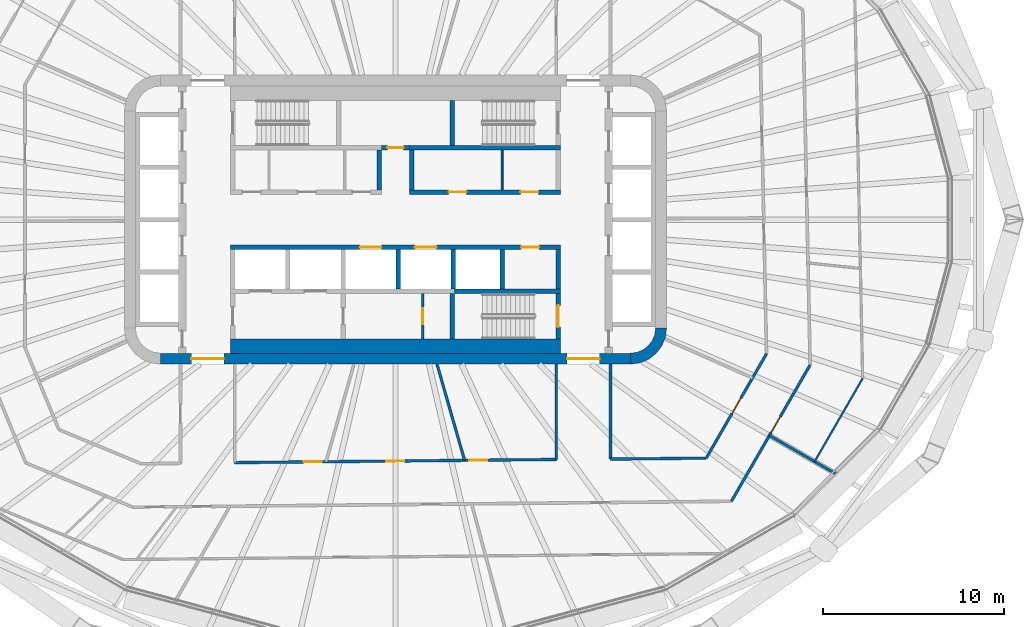
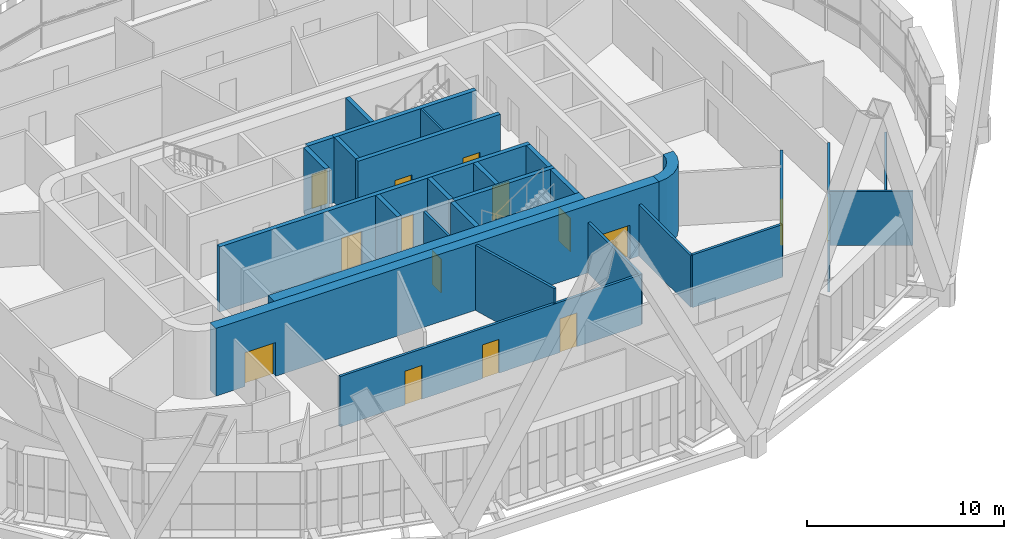
# One storey, part 15 of 25: 28 walls, 15 doors, 15 openings.
"""IFC4 building model written with IfcOpenShell, lengths in metres."""

from ifc_helpers import new_model, si_unit, direction, frame, frame_2d, origin, place, context, subcontext, project, spatial, polyline, rectangle, outline, extrude, material, layer, layer_set, type_object, element, fill, save


model = new_model("IFC4")

# Units and contexts
model_context = context("Model", 3, precision=1e-05, world=origin(), true_north=direction((0.0, 1.0)))
body_context = subcontext(model_context, "Body", "Model", "MODEL_VIEW")
ifc_project = project(units=[si_unit("LENGTHUNIT", "METRE"), si_unit("AREAUNIT", "SQUARE_METRE"), si_unit("VOLUMEUNIT", "CUBIC_METRE"), si_unit("PLANEANGLEUNIT", "RADIAN"), si_unit("MASSUNIT", "GRAM", prefix="KILO")], contexts=[model_context])

# Site, building, storey
site_placement = place(None, origin())
site = spatial("IfcSite", under=ifc_project, at=site_placement, CompositionType="ELEMENT")
building_placement = place(site_placement, origin())
building = spatial("IfcBuilding", under=site, at=building_placement, Name="Sahrelin Media Tower", CompositionType="ELEMENT")
storey_placement = place(building_placement, frame((0.0, 0.0, 63.0)))
storey = spatial("IfcBuildingStorey", under=building, at=storey_placement, Name="L10", CompositionType="ELEMENT", Elevation=63.0)

# Wall, openings, doors
ifc_material_1 = material(Name="Concrete C60/75", Category="concrete")
ifc_layer_1 = layer(ifc_material_1, 0.60009765625)
ifc_layer_set_1 = layer_set([ifc_layer_1], Name="Core wall 600")
wall_type_1 = type_object("IfcWallType", Name="Core wall 600", PredefinedType="SHEAR", material=ifc_layer_set_1)
wall_1_placement = place(storey_placement, frame((-13.0, -7.699951171875, 0.0), z_axis=(0.0, 0.0, 1.0), x_axis=(1.0, 0.0, 0.0)))
wall_1 = element("IfcWall", 1, at=wall_1_placement, inside=storey, type_object=wall_type_1, Name="Core wall S L10", PredefinedType="SHEAR", context=body_context, shape_type="SweptSolid", body=[
    extrude(rectangle(XDim=26.0, YDim=0.60009765625, at=frame_2d((13.0, 0.0))), origin(), (0.0, 0.0, 1.0), 4.199951171875),
])
opening_1_placement = place(wall_1_placement, frame((1.699951171875, 0.0, 0.0)))
opening_1 = element("IfcOpeningElement", 2, at=opening_1_placement, cuts=wall_1, Name="Opening L10-D20", PredefinedType="OPENING", context=body_context, shape_type="SweptSolid", body=[
    extrude(rectangle(XDim=1.800048828125, YDim=2.10009765625, at=frame_2d((0.89990234375, 1.050048828125))), frame((0.0, 0.300048828125, 0.0), z_axis=(0.0, -1.0, 0.0), x_axis=(1.0, 0.0, 0.0)), (0.0, 0.0, 1.0), 0.60009765625),
])
opening_2_placement = place(wall_1_placement, frame((22.5, 0.0, 0.0)))
opening_2 = element("IfcOpeningElement", 3, at=opening_2_placement, cuts=wall_1, Name="Opening L10-D21", PredefinedType="OPENING", context=body_context, shape_type="SweptSolid", body=[
    extrude(rectangle(XDim=1.800048828125, YDim=2.10009765625, at=frame_2d((0.89990234375, 1.050048828125))), frame((0.0, 0.300048828125, 0.0), z_axis=(0.0, -1.0, 0.0), x_axis=(1.0, 0.0, 0.0)), (0.0, 0.0, 1.0), 0.60009765625),
])
ifc_material_2 = material(Name="Steel fire door leaf", Category="steel")
door_type_1 = type_object("IfcDoorType", Name="Lobby double door 1800 x 2100 EI 60", OperationType="DOUBLE_DOOR_SINGLE_SWING", PredefinedType="DOOR", material=ifc_material_2)
door_1_placement = place(opening_1_placement, origin())
door_1 = element("IfcDoor", 4, at=door_1_placement, inside=storey, type_object=door_type_1, Name="Lobby door", OperationType="DOUBLE_DOOR_SINGLE_SWING", OverallHeight=2.10009765625, OverallWidth=1.800048828125, PredefinedType="DOOR", context=body_context, shape_type="SweptSolid", body=[
    extrude(rectangle(XDim=1.800048828125, YDim=2.10009765625, at=frame_2d((0.89990234375, 1.050048828125))), frame((0.0, 0.02490234375, 0.0), z_axis=(0.0, -1.0, 0.0), x_axis=(1.0, 0.0, 0.0)), (0.0, 0.0, 1.0), 0.050048828125),
])
fill(opening_1, door_1)
door_2_placement = place(opening_2_placement, origin())
door_2 = element("IfcDoor", 5, at=door_2_placement, inside=storey, type_object=door_type_1, Name="Lobby door", OperationType="DOUBLE_DOOR_SINGLE_SWING", OverallHeight=2.10009765625, OverallWidth=1.800048828125, PredefinedType="DOOR", context=body_context, shape_type="SweptSolid", body=[
    extrude(rectangle(XDim=1.800048828125, YDim=2.10009765625, at=frame_2d((0.89990234375, 1.050048828125))), frame((0.0, 0.02490234375, 0.0), z_axis=(0.0, -1.0, 0.0), x_axis=(1.0, 0.0, 0.0)), (0.0, 0.0, 1.0), 0.050048828125),
])
fill(opening_2, door_2)

# Wall
wall_2_placement = place(storey_placement, origin())
element("IfcWall", 6, at=wall_2_placement, inside=storey, type_object=wall_type_1, Name="Core wall corner SE L10", PredefinedType="SHEAR", context=body_context, shape_type="SweptSolid", body=[
    extrude(outline(polyline([(15.0, -6.0), (14.394775390625, -6.0), (14.347412109375, -6.361083984375), (14.2080078125, -6.697509765625), (13.986328125, -6.986328125), (13.697509765625, -7.2080078125), (13.361083984375, -7.347412109375), (13.0, -7.394775390625), (13.0, -8.0), (13.517578125, -7.931884765625), (14.0, -7.732177734375), (14.414306640625, -7.414306640625), (14.732177734375, -7.0), (14.931884765625, -6.517578125), (15.0, -6.0)])), origin(), (0.0, 0.0, 1.0), 4.199951171875),
])

# Wall, opening, door
ifc_material_3 = material(Name="Fire-rated gypsum board partition")
ifc_layer_2 = layer(ifc_material_3, 0.25)
ifc_layer_set_2 = layer_set([ifc_layer_2], Name="Fire-rated lobby wall 250")
wall_type_2 = type_object("IfcWallType", Name="Fire-rated lobby wall 250", PredefinedType="PARTITIONING", material=ifc_layer_set_2)
wall_3_placement = place(storey_placement, frame((-0.77490234375, 3.97509765625, 0.0), z_axis=(0.0, 0.0, 1.0), x_axis=(1.0, 0.0, 0.0)))
wall_3 = element("IfcWall", 7, at=wall_3_placement, inside=storey, type_object=wall_type_2, Name="Core lobby wall", PredefinedType="PARTITIONING", context=body_context, shape_type="SweptSolid", body=[
    extrude(rectangle(XDim=1.5498046875, YDim=0.25, at=frame_2d((0.77490234375, 0.0))), origin(), (0.0, 0.0, 1.0), 4.050048828125),
])
opening_3_placement = place(wall_3_placement, frame((0.324951171875, 0.0, 0.0)))
opening_3 = element("IfcOpeningElement", 8, at=opening_3_placement, cuts=wall_3, Name="Opening L10-D06", PredefinedType="OPENING", context=body_context, shape_type="SweptSolid", body=[
    extrude(rectangle(XDim=0.89990234375, YDim=2.10009765625, at=frame_2d((0.449951171875, 1.050048828125))), frame((0.0, 0.125, 0.0), z_axis=(0.0, -1.0, 0.0), x_axis=(1.0, 0.0, 0.0)), (0.0, 0.0, 1.0), 0.25),
])
door_type_2 = type_object("IfcDoorType", Name="Riser door 900 x 2100 EI 120", OperationType="NOTDEFINED", PredefinedType="DOOR", material=ifc_material_2)
door_3_placement = place(opening_3_placement, origin())
door_3 = element("IfcDoor", 9, at=door_3_placement, inside=storey, type_object=door_type_2, Name="Core room door", OperationType="SINGLE_SWING_LEFT", OverallHeight=2.10009765625, OverallWidth=0.89990234375, PredefinedType="DOOR", context=body_context, shape_type="SweptSolid", body=[
    extrude(rectangle(XDim=0.89990234375, YDim=2.10009765625, at=frame_2d((0.449951171875, 1.050048828125))), frame((0.0, 0.02490234375, 0.0), z_axis=(0.0, -1.0, 0.0), x_axis=(1.0, 0.0, 0.0)), (0.0, 0.0, 1.0), 0.050048828125),
])
fill(opening_3, door_3)

# Wall, openings, doors
wall_4_placement = place(storey_placement, frame((0.77490234375, 1.52490234375, 0.0), z_axis=(0.0, 0.0, 1.0), x_axis=(1.0, 0.0, 0.0)))
wall_4 = element("IfcWall", 10, at=wall_4_placement, inside=storey, type_object=wall_type_2, Name="Core lobby wall", PredefinedType="PARTITIONING", context=body_context, shape_type="SweptSolid", body=[
    extrude(rectangle(XDim=8.35009765625, YDim=0.25, at=frame_2d((4.175048828125, 0.0))), origin(), (0.0, 0.0, 1.0), 4.050048828125),
])
opening_4_placement = place(wall_4_placement, frame((2.16259765625, 0.0, 0.0)))
opening_4 = element("IfcOpeningElement", 11, at=opening_4_placement, cuts=wall_4, Name="Opening L10-D11", PredefinedType="OPENING", context=body_context, shape_type="SweptSolid", body=[
    extrude(rectangle(XDim=1.0, YDim=2.10009765625, at=frame_2d((0.5, 1.050048828125))), frame((0.0, 0.125, 0.0), z_axis=(0.0, -1.0, 0.0), x_axis=(1.0, 0.0, 0.0)), (0.0, 0.0, 1.0), 0.25),
])
opening_5_placement = place(wall_4_placement, frame((6.137451171875, 0.0, 0.0)))
opening_5 = element("IfcOpeningElement", 12, at=opening_5_placement, cuts=wall_4, Name="Opening L10-D12", PredefinedType="OPENING", context=body_context, shape_type="SweptSolid", body=[
    extrude(rectangle(XDim=1.0, YDim=2.10009765625, at=frame_2d((0.5, 1.050048828125))), frame((0.0, 0.125, 0.0), z_axis=(0.0, -1.0, 0.0), x_axis=(1.0, 0.0, 0.0)), (0.0, 0.0, 1.0), 0.25),
])
door_type_3 = type_object("IfcDoorType", Name="Fire door 1000 x 2100 EI 60", OperationType="NOTDEFINED", PredefinedType="DOOR", material=ifc_material_2)
door_4_placement = place(opening_4_placement, origin())
door_4 = element("IfcDoor", 13, at=door_4_placement, inside=storey, type_object=door_type_3, Name="Core room door", OperationType="SINGLE_SWING_LEFT", OverallHeight=2.10009765625, OverallWidth=1.0, PredefinedType="DOOR", context=body_context, shape_type="SweptSolid", body=[
    extrude(rectangle(XDim=1.0, YDim=2.10009765625, at=frame_2d((0.5, 1.050048828125))), frame((0.0, 0.02490234375, 0.0), z_axis=(0.0, -1.0, 0.0), x_axis=(1.0, 0.0, 0.0)), (0.0, 0.0, 1.0), 0.050048828125),
])
fill(opening_4, door_4)
door_5_placement = place(opening_5_placement, origin())
door_5 = element("IfcDoor", 14, at=door_5_placement, inside=storey, type_object=door_type_3, Name="Core room door", OperationType="SINGLE_SWING_LEFT", OverallHeight=2.10009765625, OverallWidth=1.0, PredefinedType="DOOR", context=body_context, shape_type="SweptSolid", body=[
    extrude(rectangle(XDim=1.0, YDim=2.10009765625, at=frame_2d((0.5, 1.050048828125))), frame((0.0, 0.02490234375, 0.0), z_axis=(0.0, -1.0, 0.0), x_axis=(1.0, 0.0, 0.0)), (0.0, 0.0, 1.0), 0.050048828125),
])
fill(opening_5, door_5)

# Walls
for number, where, z_axis, x_axis, name in (
    (15, (-0.89990234375, 1.64990234375, 0.0), (0.0, 0.0, 1.0), (0.0, 1.0, 0.0), "Core lobby wall"),
    (16, (0.89990234375, 1.64990234375, 0.0), (0.0, 0.0, 1.0), (0.0, 1.0, 0.0), "Core lobby wall"),
):
    element("IfcWall", number, at=place(storey_placement, frame(where, z_axis=z_axis, x_axis=x_axis)), inside=storey, type_object=wall_type_2, Name=name, PredefinedType="PARTITIONING", context=body_context, shape_type="SweptSolid", body=[
        extrude(rectangle(XDim=2.2001953125, YDim=0.25, at=frame_2d((1.10009765625, 0.0))), origin(), (0.0, 0.0, 1.0), 4.050048828125),
    ])
ifc_layer_3 = layer(ifc_material_3, 0.10009765625)
ifc_layer_set_3 = layer_set([ifc_layer_3], Name="Fire-rated partition 100")
wall_type_3 = type_object("IfcWallType", Name="Fire-rated partition 100", PredefinedType="PARTITIONING", material=ifc_layer_set_3)
wall_5_placement = place(storey_placement, frame((5.89990234375, 1.64990234375, 0.0), z_axis=(0.0, 0.0, 1.0), x_axis=(0.0, 1.0, 0.0)))
element("IfcWall", 17, at=wall_5_placement, inside=storey, type_object=wall_type_3, Name="Core room partition", PredefinedType="PARTITIONING", context=body_context, shape_type="SweptSolid", body=[
    extrude(rectangle(XDim=2.2001953125, YDim=0.10009765625, at=frame_2d((1.10009765625, 0.0))), origin(), (0.0, 0.0, 1.0), 4.050048828125),
])

# Wall, opening, door
ifc_layer_4 = layer(ifc_material_3, 0.14990234375)
ifc_layer_set_4 = layer_set([ifc_layer_4], Name="Fire-rated partition 150")
wall_type_4 = type_object("IfcWallType", Name="Fire-rated partition 150", PredefinedType="PARTITIONING", material=ifc_layer_set_4)
wall_6_placement = place(storey_placement, frame((1.5, -6.60009765625, 0.0), z_axis=(0.0, 0.0, 1.0), x_axis=(0.0, 1.0, 0.0)))
wall_6 = element("IfcWall", 18, at=wall_6_placement, inside=storey, type_object=wall_type_4, Name="Core room fire partition", PredefinedType="PARTITIONING", context=body_context, shape_type="SweptSolid", body=[
    extrude(rectangle(XDim=2.5, YDim=0.14990234375, at=frame_2d((1.25, 0.0))), origin(), (0.0, 0.0, 1.0), 4.050048828125),
])
opening_6_placement = place(wall_6_placement, frame((0.800048828125, 0.0, 0.0)))
opening_6 = element("IfcOpeningElement", 19, at=opening_6_placement, cuts=wall_6, Name="Opening L10-D07", PredefinedType="OPENING", context=body_context, shape_type="SweptSolid", body=[
    extrude(rectangle(XDim=0.89990234375, YDim=2.10009765625, at=frame_2d((0.449951171875, 1.050048828125))), frame((0.0, 0.074951171875, 0.0), z_axis=(0.0, -1.0, 0.0), x_axis=(1.0, 0.0, 0.0)), (0.0, 0.0, 1.0), 0.14990234375),
])
door_type_4 = type_object("IfcDoorType", Name="Fire door 900 x 2100 EI 60", OperationType="NOTDEFINED", PredefinedType="DOOR", material=ifc_material_2)
door_6_placement = place(opening_6_placement, origin())
door_6 = element("IfcDoor", 20, at=door_6_placement, inside=storey, type_object=door_type_4, Name="Core room door", OperationType="SINGLE_SWING_RIGHT", OverallHeight=2.10009765625, OverallWidth=0.89990234375, PredefinedType="DOOR", context=body_context, shape_type="SweptSolid", body=[
    extrude(rectangle(XDim=0.89990234375, YDim=2.10009765625, at=frame_2d((0.449951171875, 1.050048828125))), frame((0.0, 0.02490234375, 0.0), z_axis=(0.0, -1.0, 0.0), x_axis=(1.0, 0.0, 0.0)), (0.0, 0.0, 1.0), 0.050048828125),
])
fill(opening_6, door_6)

# Walls
wall_7_placement = place(storey_placement, frame((2.2958984375, -8.0, 0.0), z_axis=(0.0, 0.0, 1.0), x_axis=(0.275935525478, -0.961176147113, 0.0)))
element("IfcWall", 21, at=wall_7_placement, inside=storey, type_object=wall_type_4, Name="Wall", PredefinedType="PARTITIONING", context=body_context, shape_type="SweptSolid", body=[
    extrude(rectangle(XDim=5.54833984375, YDim=0.14990234375, at=frame_2d((2.774169921875, 0.0))), origin(), (0.0, 0.0, 1.0), 4.050048828125),
])
wall_8_placement = place(storey_placement, frame((20.68994140625, -11.945068359375, 0.0), z_axis=(0.0, 0.0, 1.0), x_axis=(0.866028755976, -0.499994193788, 0.0)))
element("IfcWall", 22, at=wall_8_placement, inside=storey, type_object=wall_type_4, Name="Wall", PredefinedType="PARTITIONING", context=body_context, shape_type="SweptSolid", body=[
    extrude(rectangle(XDim=4.27734375, YDim=0.14990234375, at=frame_2d((2.138671875, 0.0))), origin(), (0.0, 0.0, 1.0), 3.352294921875),
])

# Wall, openings, doors
wall_9_placement = place(storey_placement, frame((-8.89990234375, -13.448974609375, 0.0), z_axis=(0.0, 0.0, 1.0), x_axis=(0.999950697987, 0.009929833562, 0.0)))
wall_9 = element("IfcWall", 23, at=wall_9_placement, inside=storey, type_object=wall_type_4, Name="Wall", PredefinedType="PARTITIONING", context=body_context, shape_type="SweptSolid", body=[
    extrude(rectangle(XDim=17.80078125, YDim=0.14990234375, at=frame_2d((8.900390625, 0.0))), origin(), (0.0, 0.0, 1.0), 3.126953125),
])
opening_7_placement = place(wall_9_placement, frame((3.818359375, 0.0, 0.0)))
opening_7 = element("IfcOpeningElement", 24, at=opening_7_placement, cuts=wall_9, Name="Opening L10-D22", PredefinedType="OPENING", context=body_context, shape_type="SweptSolid", body=[
    extrude(rectangle(XDim=1.0, YDim=2.10009765625, at=frame_2d((0.5, 1.050048828125))), frame((0.0, 0.074951171875, 0.0), z_axis=(0.0, -1.0, 0.0), x_axis=(1.0, 0.0, 0.0)), (0.0, 0.0, 1.0), 0.14990234375),
])
opening_8_placement = place(wall_9_placement, frame((8.39111328125, 0.0, 0.0)))
opening_8 = element("IfcOpeningElement", 25, at=opening_8_placement, cuts=wall_9, Name="Opening L10-D23", PredefinedType="OPENING", context=body_context, shape_type="SweptSolid", body=[
    extrude(rectangle(XDim=1.0, YDim=2.10009765625, at=frame_2d((0.5, 1.050048828125))), frame((0.0, 0.074951171875, 0.0), z_axis=(0.0, -1.0, 0.0), x_axis=(1.0, 0.0, 0.0)), (0.0, 0.0, 1.0), 0.14990234375),
])
opening_9_placement = place(wall_9_placement, frame((12.974853515625, 0.0, 0.0)))
opening_9 = element("IfcOpeningElement", 26, at=opening_9_placement, cuts=wall_9, Name="Opening L10-D24", PredefinedType="OPENING", context=body_context, shape_type="SweptSolid", body=[
    extrude(rectangle(XDim=1.0, YDim=2.10009765625, at=frame_2d((0.5, 1.050048828125))), frame((0.0, 0.074951171875, 0.0), z_axis=(0.0, -1.0, 0.0), x_axis=(1.0, 0.0, 0.0)), (0.0, 0.0, 1.0), 0.14990234375),
])
door_7_placement = place(opening_7_placement, origin())
door_7 = element("IfcDoor", 27, at=door_7_placement, inside=storey, type_object=door_type_3, Name="Fire door", OperationType="SINGLE_SWING_LEFT", OverallHeight=2.10009765625, OverallWidth=1.0, PredefinedType="DOOR", context=body_context, shape_type="SweptSolid", body=[
    extrude(rectangle(XDim=1.0, YDim=2.10009765625, at=frame_2d((0.5, 1.050048828125))), frame((0.0, 0.02490234375, 0.0), z_axis=(0.0, -1.0, 0.0), x_axis=(1.0, 0.0, 0.0)), (0.0, 0.0, 1.0), 0.050048828125),
])
fill(opening_7, door_7)
door_8_placement = place(opening_8_placement, origin())
door_8 = element("IfcDoor", 28, at=door_8_placement, inside=storey, type_object=door_type_3, Name="Fire door", OperationType="SINGLE_SWING_LEFT", OverallHeight=2.10009765625, OverallWidth=1.0, PredefinedType="DOOR", context=body_context, shape_type="SweptSolid", body=[
    extrude(rectangle(XDim=1.0, YDim=2.10009765625, at=frame_2d((0.5, 1.050048828125))), frame((0.0, 0.02490234375, 0.0), z_axis=(0.0, -1.0, 0.0), x_axis=(1.0, 0.0, 0.0)), (0.0, 0.0, 1.0), 0.050048828125),
])
fill(opening_8, door_8)
door_9_placement = place(opening_9_placement, origin())
door_9 = element("IfcDoor", 29, at=door_9_placement, inside=storey, type_object=door_type_3, Name="Fire door", OperationType="SINGLE_SWING_RIGHT", OverallHeight=2.10009765625, OverallWidth=1.0, PredefinedType="DOOR", context=body_context, shape_type="SweptSolid", body=[
    extrude(rectangle(XDim=1.0, YDim=2.10009765625, at=frame_2d((0.5, 1.050048828125))), frame((0.0, 0.02490234375, 0.0), z_axis=(0.0, -1.0, 0.0), x_axis=(1.0, 0.0, 0.0)), (0.0, 0.0, 1.0), 0.050048828125),
])
fill(opening_9, door_9)

# Wall
wall_10_placement = place(storey_placement, frame((11.89990234375, -13.2529296875, 0.0), z_axis=(0.0, 0.0, 1.0), x_axis=(0.999950853109, 0.009914200296, 0.0)))
element("IfcWall", 30, at=wall_10_placement, inside=storey, type_object=wall_type_4, Name="Wall", PredefinedType="PARTITIONING", context=body_context, shape_type="SweptSolid", body=[
    extrude(rectangle(XDim=5.29443359375, YDim=0.14990234375, at=frame_2d((2.647216796875, 0.0))), origin(), (0.0, 0.0, 1.0), 3.27587890625),
])

# Wall, opening, door
wall_11_placement = place(storey_placement, frame((18.587158203125, -15.587158203125, 0.0), z_axis=(0.0, 0.0, 1.0), x_axis=(0.499993286632, 0.866029279715, 0.0)))
wall_11 = element("IfcWall", 31, at=wall_11_placement, inside=storey, type_object=wall_type_4, Name="Wall", PredefinedType="PARTITIONING", context=body_context, shape_type="SweptSolid", body=[
    extrude(rectangle(XDim=8.71337890625, YDim=0.14990234375, at=frame_2d((4.356689453125, 0.0))), origin(), (0.0, 0.0, 1.0), 3.195068359375),
])
opening_10_placement = place(wall_11_placement, frame((4.408447265625, 0.0, 0.0)))
opening_10 = element("IfcOpeningElement", 32, at=opening_10_placement, cuts=wall_11, Name="Opening L10-D49", PredefinedType="OPENING", context=body_context, shape_type="SweptSolid", body=[
    extrude(rectangle(XDim=1.0, YDim=2.10009765625, at=frame_2d((0.5, 1.050048828125))), frame((0.0, 0.074951171875, 0.0), z_axis=(0.0, -1.0, 0.0), x_axis=(1.0, 0.0, 0.0)), (0.0, 0.0, 1.0), 0.14990234375),
])
door_10_placement = place(opening_10_placement, origin())
door_10 = element("IfcDoor", 33, at=door_10_placement, inside=storey, type_object=door_type_3, Name="Fire door", OperationType="SINGLE_SWING_LEFT", OverallHeight=2.10009765625, OverallWidth=1.0, PredefinedType="DOOR", context=body_context, shape_type="SweptSolid", body=[
    extrude(rectangle(XDim=1.0, YDim=2.10009765625, at=frame_2d((0.5, 1.050048828125))), frame((0.0, 0.02490234375, 0.0), z_axis=(0.0, -1.0, 0.0), x_axis=(1.0, 0.0, 0.0)), (0.0, 0.0, 1.0), 0.050048828125),
])
fill(opening_10, door_10)

wall_12_placement = place(storey_placement, frame((17.194091796875, -13.200927734375, 0.0), z_axis=(0.0, 0.0, 1.0), x_axis=(0.499983182885, 0.866035112932, 0.0)))
wall_12 = element("IfcWall", 34, at=wall_12_placement, inside=storey, type_object=wall_type_4, Name="Wall", PredefinedType="PARTITIONING", context=body_context, shape_type="SweptSolid", body=[
    extrude(rectangle(XDim=6.673583984375, YDim=0.14990234375, at=frame_2d((3.3369140625, 0.0))), origin(), (0.0, 0.0, 1.0), 3.195068359375),
])
opening_11_placement = place(wall_12_placement, frame((2.833984375, 0.0, 0.0)))
opening_11 = element("IfcOpeningElement", 35, at=opening_11_placement, cuts=wall_12, Name="Opening L10-D25", PredefinedType="OPENING", context=body_context, shape_type="SweptSolid", body=[
    extrude(rectangle(XDim=1.0, YDim=2.10009765625, at=frame_2d((0.5, 1.050048828125))), frame((0.0, 0.074951171875, 0.0), z_axis=(0.0, -1.0, 0.0), x_axis=(1.0, 0.0, 0.0)), (0.0, 0.0, 1.0), 0.14990234375),
])
door_11_placement = place(opening_11_placement, origin())
door_11 = element("IfcDoor", 36, at=door_11_placement, inside=storey, type_object=door_type_3, Name="Fire door", OperationType="SINGLE_SWING_RIGHT", OverallHeight=2.10009765625, OverallWidth=1.0, PredefinedType="DOOR", context=body_context, shape_type="SweptSolid", body=[
    extrude(rectangle(XDim=1.0, YDim=2.10009765625, at=frame_2d((0.5, 1.050048828125))), frame((0.0, 0.02490234375, 0.0), z_axis=(0.0, -1.0, 0.0), x_axis=(1.0, 0.0, 0.0)), (0.0, 0.0, 1.0), 0.050048828125),
])
fill(opening_11, door_11)

# Walls
wall_13_placement = place(storey_placement, frame((11.89990234375, -13.2529296875, 0.0), z_axis=(0.0, 0.0, 1.0), x_axis=(0.0, 1.0, 0.0)))
element("IfcWall", 37, at=wall_13_placement, inside=storey, type_object=wall_type_4, Name="Wall", PredefinedType="PARTITIONING", context=body_context, shape_type="SweptSolid", body=[
    extrude(rectangle(XDim=5.2529296875, YDim=0.14990234375, at=frame_2d((2.62646484375, 0.0))), origin(), (0.0, 0.0, 1.0), 3.195068359375),
])
wall_14_placement = place(storey_placement, frame((8.89990234375, -13.282958984375, 0.0), z_axis=(0.0, 0.0, 1.0), x_axis=(0.0, 1.0, 0.0)))
element("IfcWall", 38, at=wall_14_placement, inside=storey, type_object=wall_type_4, Name="Wall", PredefinedType="PARTITIONING", context=body_context, shape_type="SweptSolid", body=[
    extrude(rectangle(XDim=5.282958984375, YDim=0.14990234375, at=frame_2d((2.6416015625, 0.0))), origin(), (0.0, 0.0, 1.0), 3.126953125),
])

# Wall, openings, doors
ifc_layer_5 = layer(ifc_material_1, 0.25)
ifc_layer_set_5 = layer_set([ifc_layer_5], Name="Lift shaft wall 250")
wall_type_5 = type_object("IfcWallType", Name="Lift shaft wall 250", PredefinedType="SOLIDWALL", material=ifc_layer_set_5)
wall_15_placement = place(storey_placement, frame((-9.125, -1.52490234375, 0.0), z_axis=(0.0, 0.0, 1.0), x_axis=(1.0, 0.0, 0.0)))
wall_15 = element("IfcWall", 39, at=wall_15_placement, inside=storey, type_object=wall_type_5, Name="Lift shaft wall", PredefinedType="SOLIDWALL", context=body_context, shape_type="SweptSolid", body=[
    extrude(rectangle(XDim=18.25, YDim=0.25, at=frame_2d((9.125, 0.0))), origin(), (0.0, 0.0, 1.0), 4.050048828125),
])
opening_12_placement = place(wall_15_placement, frame((7.14990234375, 0.0, 0.0)))
opening_12 = element("IfcOpeningElement", 40, at=opening_12_placement, cuts=wall_15, Name="Opening L10-LD-SV1", PredefinedType="OPENING", context=body_context, shape_type="SweptSolid", body=[
    extrude(rectangle(XDim=1.199951171875, YDim=2.10009765625, at=frame_2d((0.60009765625, 1.050048828125))), frame((0.0, 0.125, 0.0), z_axis=(0.0, -1.0, 0.0), x_axis=(1.0, 0.0, 0.0)), (0.0, 0.0, 1.0), 0.25),
])
opening_13_placement = place(wall_15_placement, frame((10.199951171875, 0.0, 0.0)))
opening_13 = element("IfcOpeningElement", 41, at=opening_13_placement, cuts=wall_15, Name="Opening L10-LD-SV2", PredefinedType="OPENING", context=body_context, shape_type="SweptSolid", body=[
    extrude(rectangle(XDim=1.199951171875, YDim=2.10009765625, at=frame_2d((0.60009765625, 1.050048828125))), frame((0.0, 0.125, 0.0), z_axis=(0.0, -1.0, 0.0), x_axis=(1.0, 0.0, 0.0)), (0.0, 0.0, 1.0), 0.25),
])
opening_14_placement = place(wall_15_placement, frame((16.074951171875, 0.0, 0.0)))
opening_14 = element("IfcOpeningElement", 42, at=opening_14_placement, cuts=wall_15, Name="Opening L10-D13", PredefinedType="OPENING", context=body_context, shape_type="SweptSolid", body=[
    extrude(rectangle(XDim=1.0, YDim=2.10009765625, at=frame_2d((0.5, 1.050048828125))), frame((0.0, 0.125, 0.0), z_axis=(0.0, -1.0, 0.0), x_axis=(1.0, 0.0, 0.0)), (0.0, 0.0, 1.0), 0.25),
])
door_12_placement = place(opening_14_placement, origin())
door_12 = element("IfcDoor", 43, at=door_12_placement, inside=storey, type_object=door_type_3, Name="Core room door", OperationType="SINGLE_SWING_RIGHT", OverallHeight=2.10009765625, OverallWidth=1.0, PredefinedType="DOOR", context=body_context, shape_type="SweptSolid", body=[
    extrude(rectangle(XDim=1.0, YDim=2.10009765625, at=frame_2d((0.5, 1.050048828125))), frame((0.0, 0.02490234375, 0.0), z_axis=(0.0, -1.0, 0.0), x_axis=(1.0, 0.0, 0.0)), (0.0, 0.0, 1.0), 0.050048828125),
])
fill(opening_14, door_12)
ifc_material_4 = material(Name="Stainless steel", Category="steel")
door_type_5 = type_object("IfcDoorType", Name="Lift landing door 1200 x 2100 EI 120", OperationType="DOUBLE_DOOR_SLIDING", PredefinedType="DOOR", material=ifc_material_4)
door_13_placement = place(opening_12_placement, origin())
door_13 = element("IfcDoor", 44, at=door_13_placement, inside=storey, type_object=door_type_5, Name="Lift landing door SV1", OperationType="DOUBLE_DOOR_SLIDING", OverallHeight=2.10009765625, OverallWidth=1.199951171875, PredefinedType="DOOR", context=body_context, shape_type="SweptSolid", body=[
    extrude(rectangle(XDim=1.199951171875, YDim=2.10009765625, at=frame_2d((0.60009765625, 1.050048828125))), frame((0.0, 0.02490234375, 0.0), z_axis=(0.0, -1.0, 0.0), x_axis=(1.0, 0.0, 0.0)), (0.0, 0.0, 1.0), 0.050048828125),
])
fill(opening_12, door_13)
door_14_placement = place(opening_13_placement, origin())
door_14 = element("IfcDoor", 45, at=door_14_placement, inside=storey, type_object=door_type_5, Name="Lift landing door SV2", OperationType="DOUBLE_DOOR_SLIDING", OverallHeight=2.10009765625, OverallWidth=1.199951171875, PredefinedType="DOOR", context=body_context, shape_type="SweptSolid", body=[
    extrude(rectangle(XDim=1.199951171875, YDim=2.10009765625, at=frame_2d((0.60009765625, 1.050048828125))), frame((0.0, 0.02490234375, 0.0), z_axis=(0.0, -1.0, 0.0), x_axis=(1.0, 0.0, 0.0)), (0.0, 0.0, 1.0), 0.050048828125),
])
fill(opening_13, door_14)

# Walls
wall_16_placement = place(storey_placement, frame((3.27490234375, -3.97509765625, 0.0), z_axis=(0.0, 0.0, 1.0), x_axis=(1.0, 0.0, 0.0)))
element("IfcWall", 46, at=wall_16_placement, inside=storey, type_object=wall_type_5, Name="Lift shaft wall", PredefinedType="SOLIDWALL", context=body_context, shape_type="SweptSolid", body=[
    extrude(rectangle(XDim=5.85009765625, YDim=0.25, at=frame_2d((2.925048828125, 0.0))), origin(), (0.0, 0.0, 1.0), 4.050048828125),
])
for number, where, z_axis, x_axis, name in (
    (47, (0.14990234375, -3.85009765625, 0.0), (0.0, 0.0, 1.0), (0.0, 1.0, 0.0), "Lift shaft wall"),
    (48, (3.199951171875, -3.85009765625, 0.0), (0.0, 0.0, 1.0), (0.0, 1.0, 0.0), "Lift shaft wall"),
    (49, (5.89990234375, -3.85009765625, 0.0), (0.0, 0.0, 1.0), (0.0, 1.0, 0.0), "Lift shaft wall"),
    (50, (9.0, -3.85009765625, 0.0), (0.0, 0.0, 1.0), (0.0, 1.0, 0.0), "Lift shaft wall"),
):
    element("IfcWall", number, at=place(storey_placement, frame(where, z_axis=z_axis, x_axis=x_axis)), inside=storey, type_object=wall_type_5, Name=name, PredefinedType="SOLIDWALL", context=body_context, shape_type="SweptSolid", body=[
        extrude(rectangle(XDim=2.2001953125, YDim=0.25, at=frame_2d((1.10009765625, 0.0))), origin(), (0.0, 0.0, 1.0), 4.050048828125),
    ])
ifc_material_5 = material(Name="Gypsum board partition")
ifc_layer_6 = layer(ifc_material_5, 0.10009765625)
ifc_layer_set_6 = layer_set([ifc_layer_6], Name="Partition 100")
wall_type_6 = type_object("IfcWallType", Name="Partition 100", PredefinedType="PARTITIONING", material=ifc_layer_set_6)
wall_17_placement = place(storey_placement, frame((23.193115234375, -13.389892578125, 0.0), z_axis=(0.0, 0.0, 1.0), x_axis=(0.500018082969, 0.866014963326, 0.0)))
element("IfcWall", 51, at=wall_17_placement, inside=storey, type_object=wall_type_6, Name="Wall", PredefinedType="PARTITIONING", context=body_context, shape_type="SweptSolid", body=[
    extrude(rectangle(XDim=5.313720703125, YDim=0.10009765625, at=frame_2d((2.65673828125, 0.0))), origin(), (0.0, 0.0, 1.0), 3.27587890625),
])

# Wall, opening, door
ifc_layer_7 = layer(ifc_material_1, 0.25)
ifc_layer_set_7 = layer_set([ifc_layer_7], Name="Stair enclosure wall 250")
wall_type_7 = type_object("IfcWallType", Name="Stair enclosure wall 250", PredefinedType="SOLIDWALL", material=ifc_layer_set_7)
wall_18_placement = place(storey_placement, frame((9.0, -6.60009765625, 0.0), z_axis=(0.0, 0.0, 1.0), x_axis=(0.0, 1.0, 0.0)))
wall_18 = element("IfcWall", 52, at=wall_18_placement, inside=storey, type_object=wall_type_7, Name="Stair enclosure wall", PredefinedType="SOLIDWALL", context=body_context, shape_type="SweptSolid", body=[
    extrude(rectangle(XDim=2.5, YDim=0.25, at=frame_2d((1.25, 0.0))), origin(), (0.0, 0.0, 1.0), 4.050048828125),
])
opening_15_placement = place(wall_18_placement, frame((0.64990234375, 0.0, 0.0)))
opening_15 = element("IfcOpeningElement", 53, at=opening_15_placement, cuts=wall_18, Name="Opening L10-D03", PredefinedType="OPENING", context=body_context, shape_type="SweptSolid", body=[
    extrude(rectangle(XDim=1.199951171875, YDim=2.10009765625, at=frame_2d((0.60009765625, 1.050048828125))), frame((0.0, 0.125, 0.0), z_axis=(0.0, -1.0, 0.0), x_axis=(1.0, 0.0, 0.0)), (0.0, 0.0, 1.0), 0.25),
])
door_type_6 = type_object("IfcDoorType", Name="Stair door 1200 x 2100 EI 120", OperationType="NOTDEFINED", PredefinedType="DOOR", material=ifc_material_2)
door_15_placement = place(opening_15_placement, origin())
door_15 = element("IfcDoor", 54, at=door_15_placement, inside=storey, type_object=door_type_6, Name="Stair door ST2", OperationType="SINGLE_SWING_LEFT", OverallHeight=2.10009765625, OverallWidth=1.199951171875, PredefinedType="DOOR", context=body_context, shape_type="SweptSolid", body=[
    extrude(rectangle(XDim=1.199951171875, YDim=2.10009765625, at=frame_2d((0.60009765625, 1.050048828125))), frame((0.0, 0.02490234375, 0.0), z_axis=(0.0, -1.0, 0.0), x_axis=(1.0, 0.0, 0.0)), (0.0, 0.0, 1.0), 0.050048828125),
])
fill(opening_15, door_15)

# Walls
for number, where, z_axis, x_axis, name in (
    (55, (3.14990234375, 4.10009765625, 0.0), (0.0, 0.0, 1.0), (0.0, 1.0, 0.0), "Stair enclosure wall"),
    (56, (3.14990234375, -6.60009765625, 0.0), (0.0, 0.0, 1.0), (0.0, 1.0, 0.0), "Stair enclosure wall"),
):
    element("IfcWall", number, at=place(storey_placement, frame(where, z_axis=z_axis, x_axis=x_axis)), inside=storey, type_object=wall_type_7, Name=name, PredefinedType="SOLIDWALL", context=body_context, shape_type="SweptSolid", body=[
        extrude(rectangle(XDim=2.5, YDim=0.25, at=frame_2d((1.25, 0.0))), origin(), (0.0, 0.0, 1.0), 4.050048828125),
    ])
wall_19_placement = place(storey_placement, frame((0.77490234375, 3.97509765625, 0.0), z_axis=(0.0, 0.0, 1.0), x_axis=(1.0, 0.0, 0.0)))
element("IfcWall", 57, at=wall_19_placement, inside=storey, type_object=wall_type_7, Name="Stair enclosure wall", PredefinedType="SOLIDWALL", context=body_context, shape_type="SweptSolid", body=[
    extrude(rectangle(XDim=8.35009765625, YDim=0.25, at=frame_2d((4.175048828125, 0.0))), origin(), (0.0, 0.0, 1.0), 4.050048828125),
])
ifc_layer_8 = layer(ifc_material_1, 0.800048828125)
ifc_layer_set_8 = layer_set([ifc_layer_8], Name="Stair enclosure wall 800")
wall_type_8 = type_object("IfcWallType", Name="Stair enclosure wall 800", PredefinedType="SOLIDWALL", material=ifc_layer_set_8)
wall_20_placement = place(storey_placement, frame((-9.125, -7.0, 0.0), z_axis=(0.0, 0.0, 1.0), x_axis=(1.0, 0.0, 0.0)))
element("IfcWall", 58, at=wall_20_placement, inside=storey, type_object=wall_type_8, Name="Stair enclosure wall", PredefinedType="SOLIDWALL", context=body_context, shape_type="SweptSolid", body=[
    extrude(rectangle(XDim=18.25, YDim=0.800048828125, at=frame_2d((9.125, 0.0))), origin(), (0.0, 0.0, 1.0), 4.050048828125),
])

save(model, "model.ifc")
